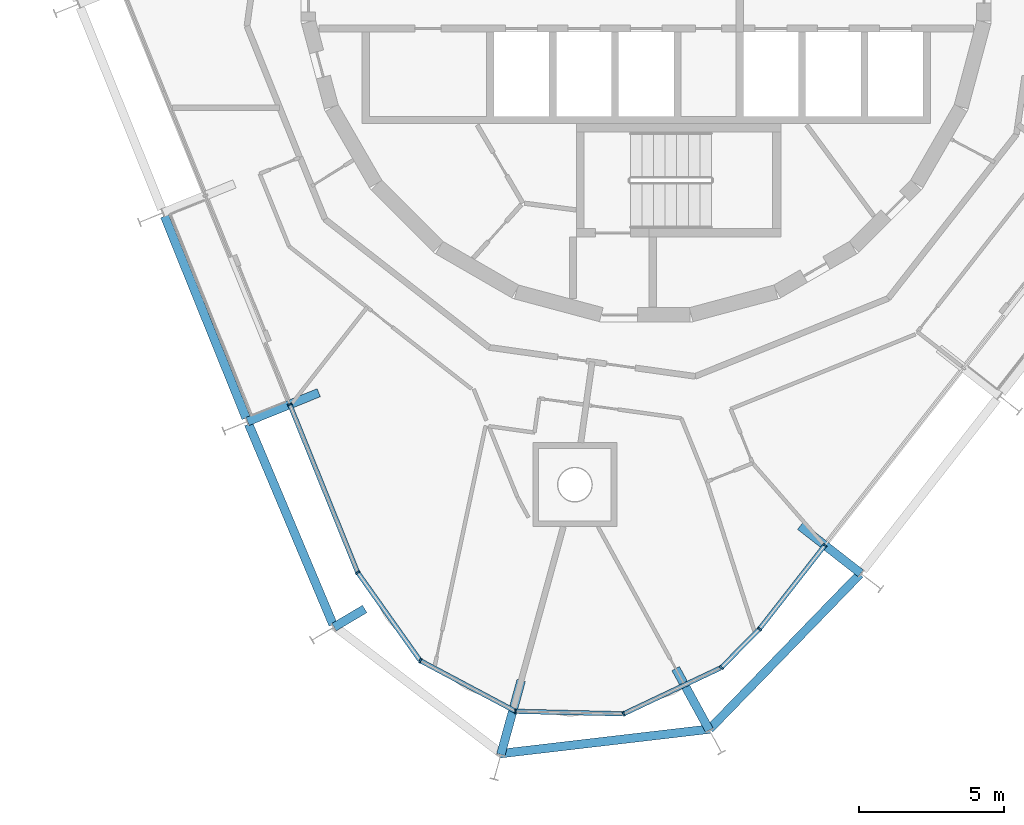
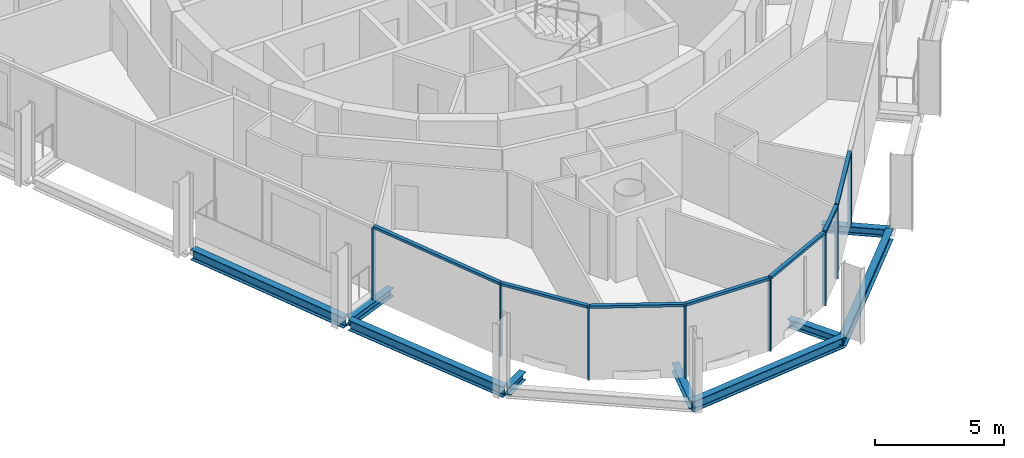
# One storey, part 2 of 15: 15 members, 9 beams, 2 elements without a shape of their own.
"""IFC4 building model written with IfcOpenShell, lengths in metres."""

from ifc_helpers import new_model, si_unit, direction, frame, origin, origin_2d, place, context, subcontext, project, spatial, rectangle, i_section, extrude, material, layer, layer_set, material_profile, profile_set, type_object, element, aggregate, save


model = new_model("IFC4")

# Units and contexts
model_context = context("Model", 3, precision=1e-05, world=origin(), true_north=direction((0.0, 1.0)))
body_context = subcontext(model_context, "Body", "Model", "MODEL_VIEW")
ifc_project = project(units=[si_unit("LENGTHUNIT", "METRE"), si_unit("AREAUNIT", "SQUARE_METRE"), si_unit("VOLUMEUNIT", "CUBIC_METRE"), si_unit("PLANEANGLEUNIT", "RADIAN"), si_unit("MASSUNIT", "GRAM", prefix="KILO")], contexts=[model_context])

# Site, building, storey
site_placement = place(None, origin())
site = spatial("IfcSite", under=ifc_project, at=site_placement, CompositionType="ELEMENT")
building_placement = place(site_placement, origin())
building = spatial("IfcBuilding", under=site, at=building_placement, Name="Spindle Arch Residences", CompositionType="ELEMENT")
storey_placement = place(building_placement, frame((0.0, 0.0, 336.5)))
storey = spatial("IfcBuildingStorey", under=building, at=storey_placement, Name="L86", CompositionType="ELEMENT", Elevation=336.5)

# Curtain wall, members
ifc_material_1 = material(Name="Aluminium bronze unitised frame with tinted glass", Category="aluminium")
ifc_layer_1 = layer(ifc_material_1, 0.159912109375)
ifc_layer_set_1 = layer_set([ifc_layer_1], Name="CW-D corner wall on the fillet arcs")
curtain_wall_type_1 = type_object("IfcCurtainWallType", Name="CW-D corner wall on the fillet arcs", PredefinedType="NOTDEFINED", material=ifc_layer_set_1)
curtain_wall_1_placement = place(storey_placement, origin())
curtain_wall_1 = element("IfcCurtainWall", 1, at=curtain_wall_1_placement, inside=storey, type_object=curtain_wall_type_1, Name="CW-D L86 run 5", PredefinedType="NOTDEFINED")
ifc_material_2 = material(Name="Aluminium bronze anodised mullion", Category="aluminium")
ifc_material_profile_1 = material_profile(ifc_material_2, rectangle(XDim=0.159912109375, YDim=0.06005859375, at=origin_2d()), Name="MU 60x160")
ifc_profile_set_1 = profile_set([ifc_material_profile_1], Name="Aluminium bronze anodised mullion")
member_type_1 = type_object("IfcMemberType", Name="Bronze mullion 60x160", PredefinedType="MULLION", material=ifc_profile_set_1)
member_1_placement = place(storey_placement, frame((-12.292724609375, -14.73779296875, -0.3798828125), z_axis=(0.0, 0.0, 1.0), x_axis=(0.927183854567, 0.374606593416, 0.0)))
member_1 = element("IfcMember", 2, at=member_1_placement, type_object=member_type_1, Name="CW-D mullion 00", PredefinedType="MULLION", context=body_context, shape_type="SweptSolid", body=[
    extrude(rectangle(XDim=0.159912109375, YDim=0.06005859375, at=origin_2d()), origin(), (0.0, 0.0, 1.0), 3.3798828125),
])
member_2_placement = place(storey_placement, frame((-9.951904296875, -20.53173828125, -0.3798828125), z_axis=(0.0, 0.0, 1.0), x_axis=(0.815801266332, 0.578332338584, 0.0)))
member_2 = element("IfcMember", 3, at=member_2_placement, type_object=member_type_1, Name="CW-D mullion 01", PredefinedType="MULLION", context=body_context, shape_type="SweptSolid", body=[
    extrude(rectangle(XDim=0.159912109375, YDim=0.06005859375, at=origin_2d()), origin(), (0.0, 0.0, 1.0), 3.3798828125),
])
member_3_placement = place(storey_placement, frame((-7.79638671875, -23.572021484375, -0.3798828125), z_axis=(0.0, 0.0, 1.0), x_axis=(0.469471563633, 0.882947592408, 0.0)))
member_3 = element("IfcMember", 4, at=member_3_placement, type_object=member_type_1, Name="CW-D mullion 02", PredefinedType="MULLION", context=body_context, shape_type="SweptSolid", body=[
    extrude(rectangle(XDim=0.159912109375, YDim=0.06005859375, at=origin_2d()), origin(), (0.0, 0.0, 1.0), 3.3798828125),
])
member_4_placement = place(storey_placement, frame((-4.505859375, -25.321533203125, -0.3798828125), z_axis=(0.0, 0.0, 1.0), x_axis=(0.023268959422, 0.999729241109, 0.0)))
member_4 = element("IfcMember", 5, at=member_4_placement, type_object=member_type_1, Name="CW-D mullion 03", PredefinedType="MULLION", context=body_context, shape_type="SweptSolid", body=[
    extrude(rectangle(XDim=0.159912109375, YDim=0.06005859375, at=origin_2d()), origin(), (0.0, 0.0, 1.0), 3.3798828125),
])
member_5_placement = place(storey_placement, frame((-0.7802734375, -25.408203125, -0.3798828125), z_axis=(0.0, 0.0, 1.0), x_axis=(-0.427883767902, 0.903833768547, 0.0)))
member_5 = element("IfcMember", 6, at=member_5_placement, type_object=member_type_1, Name="CW-D mullion 04", PredefinedType="MULLION", context=body_context, shape_type="SweptSolid", body=[
    extrude(rectangle(XDim=0.159912109375, YDim=0.06005859375, at=origin_2d()), origin(), (0.0, 0.0, 1.0), 3.3798828125),
])
member_6_placement = place(storey_placement, frame((2.588134765625, -23.813720703125, -0.3798828125), z_axis=(0.0, 0.0, 1.0), x_axis=(-0.711208575748, 0.702981053644, 0.0)))
member_6 = element("IfcMember", 7, at=member_6_placement, type_object=member_type_1, Name="CW-D mullion 05", PredefinedType="MULLION", context=body_context, shape_type="SweptSolid", body=[
    extrude(rectangle(XDim=0.159912109375, YDim=0.06005859375, at=origin_2d()), origin(), (0.0, 0.0, 1.0), 3.3798828125),
])
member_7_placement = place(storey_placement, frame((3.906982421875, -22.479248046875, -0.3798828125), z_axis=(0.0, 0.0, 1.0), x_axis=(-0.788010753607, 0.615661475326, 0.0)))
member_7 = element("IfcMember", 8, at=member_7_placement, type_object=member_type_1, Name="CW-D mullion 06", PredefinedType="MULLION", context=body_context, shape_type="SweptSolid", body=[
    extrude(rectangle(XDim=0.159912109375, YDim=0.06005859375, at=origin_2d()), origin(), (0.0, 0.0, 1.0), 3.3798828125),
])

# Curtain wall, member
ifc_material_3 = material(Name="Aluminium bronze unitised frame with tinted glass", Category="aluminium")
ifc_layer_2 = layer(ifc_material_3, 0.159912109375)
ifc_layer_set_2 = layer_set([ifc_layer_2], Name="CW-C typical residential unitised wall")
curtain_wall_type_2 = type_object("IfcCurtainWallType", Name="CW-C typical residential unitised wall", PredefinedType="NOTDEFINED", material=ifc_layer_set_2)
curtain_wall_2_placement = place(storey_placement, origin())
curtain_wall_2 = element("IfcCurtainWall", 9, at=curtain_wall_2_placement, inside=storey, type_object=curtain_wall_type_2, Name="CW-C L86 run 6", PredefinedType="NOTDEFINED")
member_8_placement = place(storey_placement, frame((6.160400390625, -19.594970703125, -0.3798828125), z_axis=(0.0, 0.0, 1.0), x_axis=(-0.788010753607, 0.615661475326, 0.0)))
member_8 = element("IfcMember", 10, at=member_8_placement, type_object=member_type_1, Name="CW-C mullion 18", PredefinedType="MULLION", context=body_context, shape_type="SweptSolid", body=[
    extrude(rectangle(XDim=0.159912109375, YDim=0.06005859375, at=origin_2d()), origin(), (0.0, 0.0, 1.0), 3.3798828125),
])
aggregate(curtain_wall_2, [member_8])

# Member
ifc_material_4 = material(Name="Aluminium bronze anodised transom", Category="aluminium")
ifc_material_profile_2 = material_profile(ifc_material_4, rectangle(XDim=0.159912109375, YDim=0.1201171875, at=origin_2d()), Name="TR 120x160")
ifc_profile_set_2 = profile_set([ifc_material_profile_2], Name="Aluminium bronze anodised transom")
member_type_2 = type_object("IfcMemberType", Name="Bronze transom 120x160", PredefinedType="USERDEFINED", material=ifc_profile_set_2)
member_9_placement = place(storey_placement, frame((-12.28125, -14.765625, 3.06005859375), z_axis=(0.374564798487, -0.927200739719, 0.0), x_axis=(0.927200739719, 0.374564798487, 0.0)))
member_9 = element("IfcMember", 11, at=member_9_placement, type_object=member_type_2, Name="CW-D transom 00", ObjectType="TRANSOM", PredefinedType="USERDEFINED", context=body_context, shape_type="SweptSolid", body=[
    extrude(rectangle(XDim=0.159912109375, YDim=0.1201171875, at=origin_2d()), origin(), (0.0, 0.0, 1.0), 6.188720703125),
])

member_10_placement = place(storey_placement, frame((-9.934326171875, -20.55615234375, 3.06005859375), z_axis=(0.578349828601, -0.815788867145, 0.0), x_axis=(0.815788867145, 0.578349828601, 0.0)))
member_10 = element("IfcMember", 12, at=member_10_placement, type_object=member_type_2, Name="CW-D transom 01", ObjectType="TRANSOM", PredefinedType="USERDEFINED", context=body_context, shape_type="SweptSolid", body=[
    extrude(rectangle(XDim=0.159912109375, YDim=0.1201171875, at=origin_2d()), origin(), (0.0, 0.0, 1.0), 3.666748046875),
])

member_11_placement = place(storey_placement, frame((-7.77001953125, -23.5859375, 3.06005859375), z_axis=(0.882947559001, -0.469471626463, 0.0), x_axis=(0.469471626463, 0.882947559001, 0.0)))
member_11 = element("IfcMember", 13, at=member_11_placement, type_object=member_type_2, Name="CW-D transom 02", ObjectType="TRANSOM", PredefinedType="USERDEFINED", context=body_context, shape_type="SweptSolid", body=[
    extrude(rectangle(XDim=0.159912109375, YDim=0.1201171875, at=origin_2d()), origin(), (0.0, 0.0, 1.0), 3.666748046875),
])

member_12_placement = place(storey_placement, frame((-4.47607421875, -25.322265625, 3.06005859375), z_axis=(0.999729981043, -0.023237147079, 0.0), x_axis=(0.023237147079, 0.999729981043, 0.0)))
member_12 = element("IfcMember", 14, at=member_12_placement, type_object=member_type_2, Name="CW-D transom 03", ObjectType="TRANSOM", PredefinedType="USERDEFINED", context=body_context, shape_type="SweptSolid", body=[
    extrude(rectangle(XDim=0.159912109375, YDim=0.1201171875, at=origin_2d()), origin(), (0.0, 0.0, 1.0), 3.666748046875),
])

member_13_placement = place(storey_placement, frame((-0.753173828125, -25.3955078125, 3.06005859375), z_axis=(0.903821874806, 0.427908890562, 0.0), x_axis=(-0.427908890562, 0.903821874806, 0.0)))
member_13 = element("IfcMember", 15, at=member_13_placement, type_object=member_type_2, Name="CW-D transom 04", ObjectType="TRANSOM", PredefinedType="USERDEFINED", context=body_context, shape_type="SweptSolid", body=[
    extrude(rectangle(XDim=0.159912109375, YDim=0.1201171875, at=origin_2d()), origin(), (0.0, 0.0, 1.0), 3.6669921875),
])

member_14_placement = place(storey_placement, frame((2.609130859375, -23.792236328125, 3.06005859375), z_axis=(0.703062417903, 0.711128143539, 0.0), x_axis=(-0.711128143539, 0.703062417903, 0.0)))
member_14 = element("IfcMember", 16, at=member_14_placement, type_object=member_type_2, Name="CW-D transom 05", ObjectType="TRANSOM", PredefinedType="USERDEFINED", context=body_context, shape_type="SweptSolid", body=[
    extrude(rectangle(XDim=0.159912109375, YDim=0.1201171875, at=origin_2d()), origin(), (0.0, 0.0, 1.0), 1.816162109375),
])

member_15_placement = place(storey_placement, frame((3.925537109375, -22.455810546875, 3.06005859375), z_axis=(0.615647989673, 0.788021289568, 0.0), x_axis=(-0.788021289568, 0.615647989673, 0.0)))
member_15 = element("IfcMember", 17, at=member_15_placement, type_object=member_type_2, Name="CW-D transom 06", ObjectType="TRANSOM", PredefinedType="USERDEFINED", context=body_context, shape_type="SweptSolid", body=[
    extrude(rectangle(XDim=0.159912109375, YDim=0.1201171875, at=origin_2d()), origin(), (0.0, 0.0, 1.0), 3.600341796875),
])

aggregate(curtain_wall_1, [member_1, member_9, member_2, member_10, member_3, member_11, member_4, member_12, member_5, member_13, member_6, member_14, member_7, member_15])

# Beams
ifc_material_5 = material(Name="Steel S460ML, intumescent coating R 120", Category="steel")
ifc_material_profile_3 = material_profile(ifc_material_5, i_section(OverallWidth=0.300048828125, OverallDepth=0.5, WebThickness=0.014404296875, FlangeThickness=0.028076171875, FilletRadius=0.027099609375, at=origin_2d()), Name="HEB 500")
ifc_profile_set_3 = profile_set([ifc_material_profile_3], Name="Steel S460ML, intumescent coating R 120")
beam_type_1 = type_object("IfcBeamType", Name="Exoskeleton edge beam HEB 500", PredefinedType="BEAM", material=ifc_profile_set_3)
beam_1_placement = place(storey_placement, frame((-16.608642578125, -8.24658203125, -0.6298828125), z_axis=(0.374596427458, -0.927187961816, 0.0), x_axis=(0.927187961816, 0.374596427458, 0.0)))
element("IfcBeam", 18, at=beam_1_placement, inside=storey, type_object=beam_type_1, Name="Exoskeleton edge beam 14", PredefinedType="BEAM", context=body_context, shape_type="SweptSolid", body=[
    extrude(i_section(OverallWidth=0.300048828125, OverallDepth=0.5, WebThickness=0.014404296875, FlangeThickness=0.028076171875, FilletRadius=0.027099609375, at=origin_2d()), origin(), (0.0, 0.0, 1.0), 7.50537109375),
])
beam_2_placement = place(storey_placement, frame((-13.711669921875, -15.4150390625, -0.6298828125), z_axis=(0.388148671876, -0.92159677111, 0.0), x_axis=(0.92159677111, 0.388148671876, 0.0)))
element("IfcBeam", 19, at=beam_2_placement, inside=storey, type_object=beam_type_1, Name="Exoskeleton edge beam 15", PredefinedType="BEAM", context=body_context, shape_type="SweptSolid", body=[
    extrude(i_section(OverallWidth=0.300048828125, OverallDepth=0.5, WebThickness=0.014404296875, FlangeThickness=0.028076171875, FilletRadius=0.027099609375, at=origin_2d()), origin(), (0.0, 0.0, 1.0), 7.500732421875),
])
beam_3_placement = place(storey_placement, frame((-5.0556640625, -26.78271484375, -0.6298828125), z_axis=(0.993205848316, 0.116370713117, 0.0), x_axis=(-0.116370713117, 0.993205848316, 0.0)))
element("IfcBeam", 20, at=beam_3_placement, inside=storey, type_object=beam_type_1, Name="Exoskeleton edge beam 17", PredefinedType="BEAM", context=body_context, shape_type="SweptSolid", body=[
    extrude(i_section(OverallWidth=0.300048828125, OverallDepth=0.5, WebThickness=0.014404296875, FlangeThickness=0.028076171875, FilletRadius=0.027099609375, at=origin_2d()), origin(), (0.0, 0.0, 1.0), 7.315673828125),
])
beam_4_placement = place(storey_placement, frame((2.19091796875, -25.927001953125, -0.6298828125), z_axis=(0.696374951776, 0.717678149688, 0.0), x_axis=(-0.717678149688, 0.696374951776, 0.0)))
element("IfcBeam", 21, at=beam_4_placement, inside=storey, type_object=beam_type_1, Name="Exoskeleton edge beam 18", PredefinedType="BEAM", context=body_context, shape_type="SweptSolid", body=[
    extrude(i_section(OverallWidth=0.300048828125, OverallDepth=0.5, WebThickness=0.014404296875, FlangeThickness=0.028076171875, FilletRadius=0.027099609375, at=origin_2d()), origin(), (0.0, 0.0, 1.0), 7.437744140625),
])
ifc_material_6 = material(Name="Steel S460ML, intumescent coating R 120", Category="steel")
ifc_material_profile_4 = material_profile(ifc_material_6, i_section(OverallWidth=0.300048828125, OverallDepth=0.389892578125, WebThickness=0.010986328125, FlangeThickness=0.01904296875, FilletRadius=0.027099609375, at=origin_2d()), Name="HEA 400")
ifc_profile_set_4 = profile_set([ifc_material_profile_4], Name="Steel S460ML, intumescent coating R 120")
beam_type_2 = type_object("IfcBeamType", Name="Floor outrigger HEA 400", PredefinedType="BEAM", material=ifc_profile_set_4)
beam_5_placement = place(storey_placement, frame((-13.748291015625, -15.325927734375, -0.574951171875), z_axis=(0.927187692393, 0.374597094323, 0.0), x_axis=(-0.374597094323, 0.927187692393, 0.0)))
element("IfcBeam", 22, at=beam_5_placement, inside=storey, type_object=beam_type_2, Name="Floor outrigger 15", PredefinedType="BEAM", context=body_context, shape_type="SweptSolid", body=[
    extrude(i_section(OverallWidth=0.300048828125, OverallDepth=0.389892578125, WebThickness=0.010986328125, FlangeThickness=0.01904296875, FilletRadius=0.027099609375, at=origin_2d()), origin(), (0.0, 0.0, 1.0), 2.64990234375),
])
beam_6_placement = place(storey_placement, frame((-10.765869140625, -22.417724609375, -0.574951171875), z_axis=(0.860752508727, 0.509023691709, 0.0), x_axis=(-0.509023691709, 0.860752508727, 0.0)))
element("IfcBeam", 23, at=beam_6_placement, inside=storey, type_object=beam_type_2, Name="Floor outrigger 16", PredefinedType="BEAM", context=body_context, shape_type="SweptSolid", body=[
    extrude(i_section(OverallWidth=0.300048828125, OverallDepth=0.389892578125, WebThickness=0.010986328125, FlangeThickness=0.01904296875, FilletRadius=0.027099609375, at=origin_2d()), origin(), (0.0, 0.0, 1.0), 1.229248046875),
])
beam_7_placement = place(storey_placement, frame((-5.01318359375, -26.810791015625, -0.574951171875), z_axis=(0.2645204188, 0.964380084841, 0.0), x_axis=(-0.964380084841, 0.2645204188, 0.0)))
element("IfcBeam", 24, at=beam_7_placement, inside=storey, type_object=beam_type_2, Name="Floor outrigger 17", PredefinedType="BEAM", context=body_context, shape_type="SweptSolid", body=[
    extrude(i_section(OverallWidth=0.300048828125, OverallDepth=0.389892578125, WebThickness=0.010986328125, FlangeThickness=0.01904296875, FilletRadius=0.027099609375, at=origin_2d()), origin(), (0.0, 0.0, 1.0), 2.64990234375),
])
beam_8_placement = place(storey_placement, frame((2.175537109375, -25.968505859375, -0.574951171875), z_axis=(-0.48032201602, 0.877092219169, 0.0), x_axis=(-0.877092219169, -0.48032201602, 0.0)))
element("IfcBeam", 25, at=beam_8_placement, inside=storey, type_object=beam_type_2, Name="Floor outrigger 18", PredefinedType="BEAM", context=body_context, shape_type="SweptSolid", body=[
    extrude(i_section(OverallWidth=0.300048828125, OverallDepth=0.389892578125, WebThickness=0.010986328125, FlangeThickness=0.01904296875, FilletRadius=0.027099609375, at=origin_2d()), origin(), (0.0, 0.0, 1.0), 2.41943359375),
])
beam_9_placement = place(storey_placement, frame((7.397705078125, -20.561767578125, -0.574951171875), z_axis=(-0.788015993799, 0.615654768127, 0.0), x_axis=(-0.615654768127, -0.788015993799, 0.0)))
element("IfcBeam", 26, at=beam_9_placement, inside=storey, type_object=beam_type_2, Name="Floor outrigger 19", PredefinedType="BEAM", context=body_context, shape_type="SweptSolid", body=[
    extrude(i_section(OverallWidth=0.300048828125, OverallDepth=0.389892578125, WebThickness=0.010986328125, FlangeThickness=0.01904296875, FilletRadius=0.027099609375, at=origin_2d()), origin(), (0.0, 0.0, 1.0), 2.650146484375),
])

save(model, "model.ifc")
